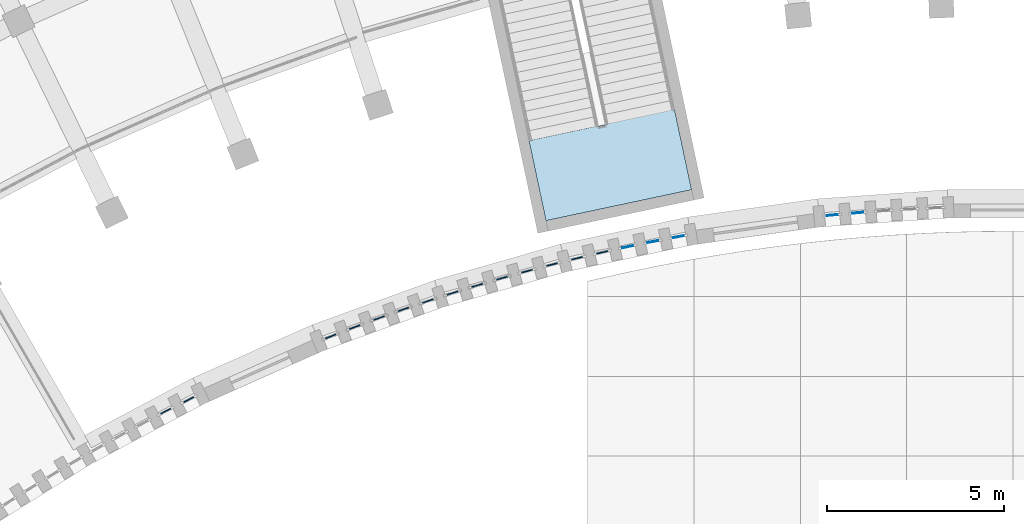
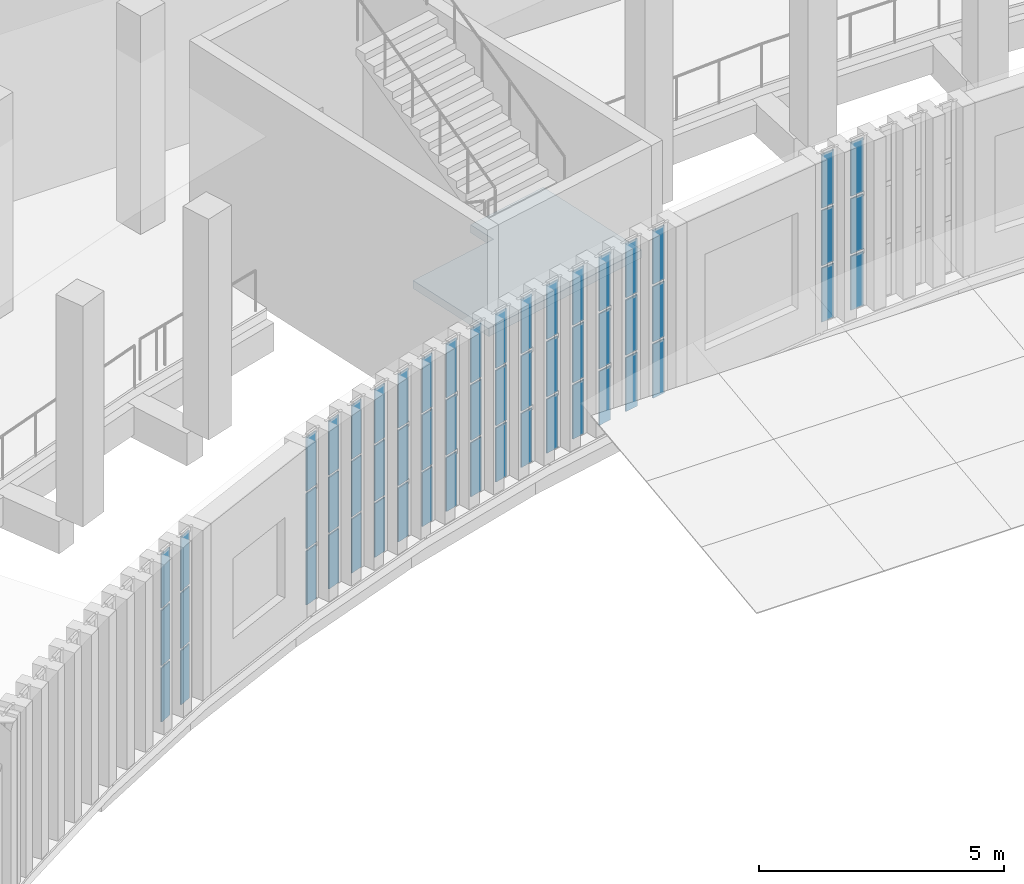
# One storey, part 43 of 112: 57 plates, 1 slab, 20 elements without a shape of their own.
"""IFC4 building model written with IfcOpenShell, lengths in metres."""

from ifc_helpers import new_model, si_unit, direction, frame, origin, origin_2d, place, context, subcontext, project, spatial, polyline, rectangle, outline, extrude, material, layer, layer_set, type_object, element, aggregate, save


model = new_model("IFC4")

# Units and contexts
model_context = context("Model", 3, precision=1e-05, world=origin(), true_north=direction((0.0, 1.0)))
body_context = subcontext(model_context, "Body", "Model", "MODEL_VIEW")
ifc_project = project(units=[si_unit("LENGTHUNIT", "METRE"), si_unit("AREAUNIT", "SQUARE_METRE"), si_unit("VOLUMEUNIT", "CUBIC_METRE"), si_unit("PLANEANGLEUNIT", "RADIAN"), si_unit("MASSUNIT", "GRAM", prefix="KILO")], contexts=[model_context])

# Site, building, storey
site_placement = place(None, origin())
site = spatial("IfcSite", under=ifc_project, at=site_placement, CompositionType="ELEMENT")
building_placement = place(site_placement, origin())
building = spatial("IfcBuilding", under=site, at=building_placement, Name="Lunette Opera House", CompositionType="ELEMENT")
storey_placement = place(building_placement, frame((0.0, 0.0, 6.0)))
storey = spatial("IfcBuildingStorey", under=building, at=storey_placement, Name="L01", CompositionType="ELEMENT", Elevation=6.0)

# Curtain wall, plates
ifc_material_1 = material(Name="Aluminium", Category="aluminium")
ifc_layer_1 = layer(ifc_material_1, 0.1201171875)
ifc_layer_set_1 = layer_set([ifc_layer_1], Name="Aluminium")
curtain_wall_type = type_object("IfcCurtainWallType", Name="SLOT CURTAIN WALL", PredefinedType="NOTDEFINED", material=ifc_layer_set_1)
curtain_wall_1_placement = place(storey_placement, origin())
curtain_wall_1 = element("IfcCurtainWall", 1, at=curtain_wall_1_placement, inside=storey, type_object=curtain_wall_type, Name="Slot Curtain Wall CS019 L01", PredefinedType="NOTDEFINED")
ifc_material_2 = material(Name="Laminated glass", Category="glass")
ifc_layer_2 = layer(ifc_material_2, 0.028076171875)
ifc_layer_set_2 = layer_set([ifc_layer_2], Name="Laminated glass")
plate_type = type_object("IfcPlateType", Name="CURTAIN PANEL LAMINATED GLASS 28", PredefinedType="CURTAIN_PANEL", material=ifc_layer_set_2)
plate_1_placement = place(storey_placement, frame((72.093994140625, 46.51611328125, 0.06005859375), z_axis=(0.0, 0.0, 1.0), x_axis=(0.889720446935, 0.45650577905, 0.0)))
plate_1 = element("IfcPlate", 2, at=plate_1_placement, type_object=plate_type, Name="FC-X2038 panel 1.1", PredefinedType="CURTAIN_PANEL", context=body_context, shape_type="SweptSolid", body=[
    extrude(rectangle(XDim=0.309326171875, YDim=0.028076171875, at=origin_2d()), origin(), (0.0, 0.0, 1.0), 1.343017578125),
])
plate_2_placement = place(storey_placement, frame((72.093994140625, 46.51611328125, 1.462890625), z_axis=(0.0, 0.0, 1.0), x_axis=(0.889720446935, 0.45650577905, 0.0)))
plate_2 = element("IfcPlate", 3, at=plate_2_placement, type_object=plate_type, Name="FC-X2038 panel 1.2", PredefinedType="CURTAIN_PANEL", context=body_context, shape_type="SweptSolid", body=[
    extrude(rectangle(XDim=0.309326171875, YDim=0.028076171875, at=origin_2d()), origin(), (0.0, 0.0, 1.0), 1.3740234375),
])
plate_3_placement = place(storey_placement, frame((72.093994140625, 46.51611328125, 2.89697265625), z_axis=(0.0, 0.0, 1.0), x_axis=(0.889720446935, 0.45650577905, 0.0)))
plate_3 = element("IfcPlate", 4, at=plate_3_placement, type_object=plate_type, Name="FC-X2038 panel 1.3", PredefinedType="CURTAIN_PANEL", context=body_context, shape_type="SweptSolid", body=[
    extrude(rectangle(XDim=0.309326171875, YDim=0.028076171875, at=origin_2d()), origin(), (0.0, 0.0, 1.0), 1.343017578125),
])
aggregate(curtain_wall_1, [plate_1, plate_2, plate_3])

curtain_wall_2_placement = place(storey_placement, origin())
curtain_wall_2 = element("IfcCurtainWall", 5, at=curtain_wall_2_placement, inside=storey, type_object=curtain_wall_type, Name="Slot Curtain Wall CS020 L01", PredefinedType="NOTDEFINED")
plate_4_placement = place(storey_placement, frame((72.74560546875, 46.845458984375, 0.06005859375), z_axis=(0.0, 0.0, 1.0), x_axis=(0.895818914219, 0.444419253552, 0.0)))
plate_4 = element("IfcPlate", 6, at=plate_4_placement, type_object=plate_type, Name="FC-X2040 panel 1.1", PredefinedType="CURTAIN_PANEL", context=body_context, shape_type="SweptSolid", body=[
    extrude(rectangle(XDim=0.309814453125, YDim=0.028076171875, at=origin_2d()), origin(), (0.0, 0.0, 1.0), 1.343017578125),
])
plate_5_placement = place(storey_placement, frame((72.74560546875, 46.845458984375, 1.462890625), z_axis=(0.0, 0.0, 1.0), x_axis=(0.895818914219, 0.444419253552, 0.0)))
plate_5 = element("IfcPlate", 7, at=plate_5_placement, type_object=plate_type, Name="FC-X2040 panel 1.2", PredefinedType="CURTAIN_PANEL", context=body_context, shape_type="SweptSolid", body=[
    extrude(rectangle(XDim=0.309814453125, YDim=0.028076171875, at=origin_2d()), origin(), (0.0, 0.0, 1.0), 1.3740234375),
])
plate_6_placement = place(storey_placement, frame((72.74560546875, 46.845458984375, 2.89697265625), z_axis=(0.0, 0.0, 1.0), x_axis=(0.895818914219, 0.444419253552, 0.0)))
plate_6 = element("IfcPlate", 8, at=plate_6_placement, type_object=plate_type, Name="FC-X2040 panel 1.3", PredefinedType="CURTAIN_PANEL", context=body_context, shape_type="SweptSolid", body=[
    extrude(rectangle(XDim=0.309814453125, YDim=0.028076171875, at=origin_2d()), origin(), (0.0, 0.0, 1.0), 1.343017578125),
])
aggregate(curtain_wall_2, [plate_4, plate_5, plate_6])

curtain_wall_3_placement = place(storey_placement, origin())
curtain_wall_3 = element("IfcCurtainWall", 9, at=curtain_wall_3_placement, inside=storey, type_object=curtain_wall_type, Name="Slot Curtain Wall CS021 L01", PredefinedType="NOTDEFINED")
plate_7_placement = place(storey_placement, frame((76.7470703125, 48.626953125, 0.06005859375), z_axis=(0.0, 0.0, 1.0), x_axis=(0.93007160781, 0.367378285076, 0.0)))
plate_7 = element("IfcPlate", 10, at=plate_7_placement, type_object=plate_type, Name="FC-X2042 panel 1.1", PredefinedType="CURTAIN_PANEL", context=body_context, shape_type="SweptSolid", body=[
    extrude(rectangle(XDim=0.31005859375, YDim=0.028076171875, at=origin_2d()), origin(), (0.0, 0.0, 1.0), 1.343017578125),
])
plate_8_placement = place(storey_placement, frame((76.7470703125, 48.626953125, 1.462890625), z_axis=(0.0, 0.0, 1.0), x_axis=(0.93007160781, 0.367378285076, 0.0)))
plate_8 = element("IfcPlate", 11, at=plate_8_placement, type_object=plate_type, Name="FC-X2042 panel 1.2", PredefinedType="CURTAIN_PANEL", context=body_context, shape_type="SweptSolid", body=[
    extrude(rectangle(XDim=0.31005859375, YDim=0.028076171875, at=origin_2d()), origin(), (0.0, 0.0, 1.0), 1.3740234375),
])
plate_9_placement = place(storey_placement, frame((76.7470703125, 48.626953125, 2.89697265625), z_axis=(0.0, 0.0, 1.0), x_axis=(0.93007160781, 0.367378285076, 0.0)))
plate_9 = element("IfcPlate", 12, at=plate_9_placement, type_object=plate_type, Name="FC-X2042 panel 1.3", PredefinedType="CURTAIN_PANEL", context=body_context, shape_type="SweptSolid", body=[
    extrude(rectangle(XDim=0.31005859375, YDim=0.028076171875, at=origin_2d()), origin(), (0.0, 0.0, 1.0), 1.343017578125),
])
aggregate(curtain_wall_3, [plate_7, plate_8, plate_9])

curtain_wall_4_placement = place(storey_placement, origin())
curtain_wall_4 = element("IfcCurtainWall", 13, at=curtain_wall_4_placement, inside=storey, type_object=curtain_wall_type, Name="Slot Curtain Wall CS022 L01", PredefinedType="NOTDEFINED")
plate_10_placement = place(storey_placement, frame((77.427978515625, 48.89111328125, 0.06005859375), z_axis=(0.0, 0.0, 1.0), x_axis=(0.935369490502, 0.353672046164, 0.0)))
plate_10 = element("IfcPlate", 14, at=plate_10_placement, type_object=plate_type, Name="FC-X2044 panel 1.1", PredefinedType="CURTAIN_PANEL", context=body_context, shape_type="SweptSolid", body=[
    extrude(rectangle(XDim=0.309814453125, YDim=0.028076171875, at=origin_2d()), origin(), (0.0, 0.0, 1.0), 1.343017578125),
])
plate_11_placement = place(storey_placement, frame((77.427978515625, 48.89111328125, 1.462890625), z_axis=(0.0, 0.0, 1.0), x_axis=(0.935369490502, 0.353672046164, 0.0)))
plate_11 = element("IfcPlate", 15, at=plate_11_placement, type_object=plate_type, Name="FC-X2044 panel 1.2", PredefinedType="CURTAIN_PANEL", context=body_context, shape_type="SweptSolid", body=[
    extrude(rectangle(XDim=0.309814453125, YDim=0.028076171875, at=origin_2d()), origin(), (0.0, 0.0, 1.0), 1.3740234375),
])
plate_12_placement = place(storey_placement, frame((77.427978515625, 48.89111328125, 2.89697265625), z_axis=(0.0, 0.0, 1.0), x_axis=(0.935369490502, 0.353672046164, 0.0)))
plate_12 = element("IfcPlate", 16, at=plate_12_placement, type_object=plate_type, Name="FC-X2044 panel 1.3", PredefinedType="CURTAIN_PANEL", context=body_context, shape_type="SweptSolid", body=[
    extrude(rectangle(XDim=0.309814453125, YDim=0.028076171875, at=origin_2d()), origin(), (0.0, 0.0, 1.0), 1.343017578125),
])
aggregate(curtain_wall_4, [plate_10, plate_11, plate_12])

curtain_wall_5_placement = place(storey_placement, origin())
curtain_wall_5 = element("IfcCurtainWall", 17, at=curtain_wall_5_placement, inside=storey, type_object=curtain_wall_type, Name="Slot Curtain Wall CS023 L01", PredefinedType="NOTDEFINED")
plate_13_placement = place(storey_placement, frame((78.112548828125, 49.1455078125, 0.06005859375), z_axis=(0.0, 0.0, 1.0), x_axis=(0.939996554639, 0.341183934655, 0.0)))
plate_13 = element("IfcPlate", 18, at=plate_13_placement, type_object=plate_type, Name="FC-X2046 panel 1.1", PredefinedType="CURTAIN_PANEL", context=body_context, shape_type="SweptSolid", body=[
    extrude(rectangle(XDim=0.310791015625, YDim=0.028076171875, at=origin_2d()), origin(), (0.0, 0.0, 1.0), 1.343017578125),
])
plate_14_placement = place(storey_placement, frame((78.112548828125, 49.1455078125, 1.462890625), z_axis=(0.0, 0.0, 1.0), x_axis=(0.939996554639, 0.341183934655, 0.0)))
plate_14 = element("IfcPlate", 19, at=plate_14_placement, type_object=plate_type, Name="FC-X2046 panel 1.2", PredefinedType="CURTAIN_PANEL", context=body_context, shape_type="SweptSolid", body=[
    extrude(rectangle(XDim=0.310791015625, YDim=0.028076171875, at=origin_2d()), origin(), (0.0, 0.0, 1.0), 1.3740234375),
])
plate_15_placement = place(storey_placement, frame((78.112548828125, 49.1455078125, 2.89697265625), z_axis=(0.0, 0.0, 1.0), x_axis=(0.939996554639, 0.341183934655, 0.0)))
plate_15 = element("IfcPlate", 20, at=plate_15_placement, type_object=plate_type, Name="FC-X2046 panel 1.3", PredefinedType="CURTAIN_PANEL", context=body_context, shape_type="SweptSolid", body=[
    extrude(rectangle(XDim=0.310791015625, YDim=0.028076171875, at=origin_2d()), origin(), (0.0, 0.0, 1.0), 1.343017578125),
])
aggregate(curtain_wall_5, [plate_13, plate_14, plate_15])

curtain_wall_6_placement = place(storey_placement, origin())
curtain_wall_6 = element("IfcCurtainWall", 21, at=curtain_wall_6_placement, inside=storey, type_object=curtain_wall_type, Name="Slot Curtain Wall CS024 L01", PredefinedType="NOTDEFINED")
plate_16_placement = place(storey_placement, frame((78.800537109375, 49.390380859375, 0.06005859375), z_axis=(0.0, 0.0, 1.0), x_axis=(0.944903237351, 0.327349770191, 0.0)))
plate_16 = element("IfcPlate", 22, at=plate_16_placement, type_object=plate_type, Name="FC-X2048 panel 1.1", PredefinedType="CURTAIN_PANEL", context=body_context, shape_type="SweptSolid", body=[
    extrude(rectangle(XDim=0.310791015625, YDim=0.028076171875, at=origin_2d()), origin(), (0.0, 0.0, 1.0), 1.343017578125),
])
plate_17_placement = place(storey_placement, frame((78.800537109375, 49.390380859375, 1.462890625), z_axis=(0.0, 0.0, 1.0), x_axis=(0.944903237351, 0.327349770191, 0.0)))
plate_17 = element("IfcPlate", 23, at=plate_17_placement, type_object=plate_type, Name="FC-X2048 panel 1.2", PredefinedType="CURTAIN_PANEL", context=body_context, shape_type="SweptSolid", body=[
    extrude(rectangle(XDim=0.310791015625, YDim=0.028076171875, at=origin_2d()), origin(), (0.0, 0.0, 1.0), 1.3740234375),
])
plate_18_placement = place(storey_placement, frame((78.800537109375, 49.390380859375, 2.89697265625), z_axis=(0.0, 0.0, 1.0), x_axis=(0.944903237351, 0.327349770191, 0.0)))
plate_18 = element("IfcPlate", 24, at=plate_18_placement, type_object=plate_type, Name="FC-X2048 panel 1.3", PredefinedType="CURTAIN_PANEL", context=body_context, shape_type="SweptSolid", body=[
    extrude(rectangle(XDim=0.310791015625, YDim=0.028076171875, at=origin_2d()), origin(), (0.0, 0.0, 1.0), 1.343017578125),
])
aggregate(curtain_wall_6, [plate_16, plate_17, plate_18])

curtain_wall_7_placement = place(storey_placement, origin())
curtain_wall_7 = element("IfcCurtainWall", 25, at=curtain_wall_7_placement, inside=storey, type_object=curtain_wall_type, Name="Slot Curtain Wall CS025 L01", PredefinedType="NOTDEFINED")
plate_19_placement = place(storey_placement, frame((79.491943359375, 49.6259765625, 0.06005859375), z_axis=(0.0, 0.0, 1.0), x_axis=(0.94868329805, 0.316227766018, 0.0)))
plate_19 = element("IfcPlate", 26, at=plate_19_placement, type_object=plate_type, Name="FC-X2050 panel 1.1", PredefinedType="CURTAIN_PANEL", context=body_context, shape_type="SweptSolid", body=[
    extrude(rectangle(XDim=0.31005859375, YDim=0.028076171875, at=origin_2d()), origin(), (0.0, 0.0, 1.0), 1.343017578125),
])
plate_20_placement = place(storey_placement, frame((79.491943359375, 49.6259765625, 1.462890625), z_axis=(0.0, 0.0, 1.0), x_axis=(0.94868329805, 0.316227766018, 0.0)))
plate_20 = element("IfcPlate", 27, at=plate_20_placement, type_object=plate_type, Name="FC-X2050 panel 1.2", PredefinedType="CURTAIN_PANEL", context=body_context, shape_type="SweptSolid", body=[
    extrude(rectangle(XDim=0.31005859375, YDim=0.028076171875, at=origin_2d()), origin(), (0.0, 0.0, 1.0), 1.3740234375),
])
plate_21_placement = place(storey_placement, frame((79.491943359375, 49.6259765625, 2.89697265625), z_axis=(0.0, 0.0, 1.0), x_axis=(0.94868329805, 0.316227766018, 0.0)))
plate_21 = element("IfcPlate", 28, at=plate_21_placement, type_object=plate_type, Name="FC-X2050 panel 1.3", PredefinedType="CURTAIN_PANEL", context=body_context, shape_type="SweptSolid", body=[
    extrude(rectangle(XDim=0.31005859375, YDim=0.028076171875, at=origin_2d()), origin(), (0.0, 0.0, 1.0), 1.343017578125),
])
aggregate(curtain_wall_7, [plate_19, plate_20, plate_21])

curtain_wall_8_placement = place(storey_placement, origin())
curtain_wall_8 = element("IfcCurtainWall", 29, at=curtain_wall_8_placement, inside=storey, type_object=curtain_wall_type, Name="Slot Curtain Wall CS026 L01", PredefinedType="NOTDEFINED")
plate_22_placement = place(storey_placement, frame((80.18603515625, 49.85107421875, 0.06005859375), z_axis=(0.0, 0.0, 1.0), x_axis=(0.9532306377, 0.302243860731, 0.0)))
plate_22 = element("IfcPlate", 30, at=plate_22_placement, type_object=plate_type, Name="FC-X2052 panel 1.1", PredefinedType="CURTAIN_PANEL", context=body_context, shape_type="SweptSolid", body=[
    extrude(rectangle(XDim=0.31005859375, YDim=0.028076171875, at=origin_2d()), origin(), (0.0, 0.0, 1.0), 1.343017578125),
])
plate_23_placement = place(storey_placement, frame((80.18603515625, 49.85107421875, 1.462890625), z_axis=(0.0, 0.0, 1.0), x_axis=(0.9532306377, 0.302243860731, 0.0)))
plate_23 = element("IfcPlate", 31, at=plate_23_placement, type_object=plate_type, Name="FC-X2052 panel 1.2", PredefinedType="CURTAIN_PANEL", context=body_context, shape_type="SweptSolid", body=[
    extrude(rectangle(XDim=0.31005859375, YDim=0.028076171875, at=origin_2d()), origin(), (0.0, 0.0, 1.0), 1.3740234375),
])
plate_24_placement = place(storey_placement, frame((80.18603515625, 49.85107421875, 2.89697265625), z_axis=(0.0, 0.0, 1.0), x_axis=(0.9532306377, 0.302243860731, 0.0)))
plate_24 = element("IfcPlate", 32, at=plate_24_placement, type_object=plate_type, Name="FC-X2052 panel 1.3", PredefinedType="CURTAIN_PANEL", context=body_context, shape_type="SweptSolid", body=[
    extrude(rectangle(XDim=0.31005859375, YDim=0.028076171875, at=origin_2d()), origin(), (0.0, 0.0, 1.0), 1.343017578125),
])
aggregate(curtain_wall_8, [plate_22, plate_23, plate_24])

curtain_wall_9_placement = place(storey_placement, origin())
curtain_wall_9 = element("IfcCurtainWall", 33, at=curtain_wall_9_placement, inside=storey, type_object=curtain_wall_type, Name="Slot Curtain Wall CS027 L01", PredefinedType="NOTDEFINED")
plate_25_placement = place(storey_placement, frame((80.884033203125, 50.0673828125, 0.06005859375), z_axis=(0.0, 0.0, 1.0), x_axis=(0.956926678266, 0.290329696075, 0.0)))
plate_25 = element("IfcPlate", 34, at=plate_25_placement, type_object=plate_type, Name="FC-X2054 panel 1.1", PredefinedType="CURTAIN_PANEL", context=body_context, shape_type="SweptSolid", body=[
    extrude(rectangle(XDim=0.310546875, YDim=0.028076171875, at=origin_2d()), origin(), (0.0, 0.0, 1.0), 1.343017578125),
])
plate_26_placement = place(storey_placement, frame((80.884033203125, 50.0673828125, 1.462890625), z_axis=(0.0, 0.0, 1.0), x_axis=(0.956926678266, 0.290329696075, 0.0)))
plate_26 = element("IfcPlate", 35, at=plate_26_placement, type_object=plate_type, Name="FC-X2054 panel 1.2", PredefinedType="CURTAIN_PANEL", context=body_context, shape_type="SweptSolid", body=[
    extrude(rectangle(XDim=0.310546875, YDim=0.028076171875, at=origin_2d()), origin(), (0.0, 0.0, 1.0), 1.3740234375),
])
plate_27_placement = place(storey_placement, frame((80.884033203125, 50.0673828125, 2.89697265625), z_axis=(0.0, 0.0, 1.0), x_axis=(0.956926678266, 0.290329696075, 0.0)))
plate_27 = element("IfcPlate", 36, at=plate_27_placement, type_object=plate_type, Name="FC-X2054 panel 1.3", PredefinedType="CURTAIN_PANEL", context=body_context, shape_type="SweptSolid", body=[
    extrude(rectangle(XDim=0.310546875, YDim=0.028076171875, at=origin_2d()), origin(), (0.0, 0.0, 1.0), 1.343017578125),
])
aggregate(curtain_wall_9, [plate_25, plate_26, plate_27])

curtain_wall_10_placement = place(storey_placement, origin())
curtain_wall_10 = element("IfcCurtainWall", 37, at=curtain_wall_10_placement, inside=storey, type_object=curtain_wall_type, Name="Slot Curtain Wall CS028 L01", PredefinedType="NOTDEFINED")
plate_28_placement = place(storey_placement, frame((81.583984375, 50.2734375, 0.06005859375), z_axis=(0.0, 0.0, 1.0), x_axis=(0.961084714065, 0.276253818781, 0.0)))
plate_28 = element("IfcPlate", 38, at=plate_28_placement, type_object=plate_type, Name="FC-X2056 panel 1.1", PredefinedType="CURTAIN_PANEL", context=body_context, shape_type="SweptSolid", body=[
    extrude(rectangle(XDim=0.310791015625, YDim=0.028076171875, at=origin_2d()), origin(), (0.0, 0.0, 1.0), 1.343017578125),
])
plate_29_placement = place(storey_placement, frame((81.583984375, 50.2734375, 1.462890625), z_axis=(0.0, 0.0, 1.0), x_axis=(0.961084714065, 0.276253818781, 0.0)))
plate_29 = element("IfcPlate", 39, at=plate_29_placement, type_object=plate_type, Name="FC-X2056 panel 1.2", PredefinedType="CURTAIN_PANEL", context=body_context, shape_type="SweptSolid", body=[
    extrude(rectangle(XDim=0.310791015625, YDim=0.028076171875, at=origin_2d()), origin(), (0.0, 0.0, 1.0), 1.3740234375),
])
plate_30_placement = place(storey_placement, frame((81.583984375, 50.2734375, 2.89697265625), z_axis=(0.0, 0.0, 1.0), x_axis=(0.961084714065, 0.276253818781, 0.0)))
plate_30 = element("IfcPlate", 40, at=plate_30_placement, type_object=plate_type, Name="FC-X2056 panel 1.3", PredefinedType="CURTAIN_PANEL", context=body_context, shape_type="SweptSolid", body=[
    extrude(rectangle(XDim=0.310791015625, YDim=0.028076171875, at=origin_2d()), origin(), (0.0, 0.0, 1.0), 1.343017578125),
])
aggregate(curtain_wall_10, [plate_28, plate_29, plate_30])

curtain_wall_11_placement = place(storey_placement, origin())
curtain_wall_11 = element("IfcCurtainWall", 41, at=curtain_wall_11_placement, inside=storey, type_object=curtain_wall_type, Name="Slot Curtain Wall CS029 L01", PredefinedType="NOTDEFINED")
plate_31_placement = place(storey_placement, frame((82.28759765625, 50.469970703125, 0.06005859375), z_axis=(0.0, 0.0, 1.0), x_axis=(0.965458348983, 0.260557433934, 0.0)))
plate_31 = element("IfcPlate", 42, at=plate_31_placement, type_object=plate_type, Name="FC-X2058 panel 1.1", PredefinedType="CURTAIN_PANEL", context=body_context, shape_type="SweptSolid", body=[
    extrude(rectangle(XDim=0.309814453125, YDim=0.028076171875, at=origin_2d()), origin(), (0.0, 0.0, 1.0), 1.343017578125),
])
plate_32_placement = place(storey_placement, frame((82.28759765625, 50.469970703125, 1.462890625), z_axis=(0.0, 0.0, 1.0), x_axis=(0.965458348983, 0.260557433934, 0.0)))
plate_32 = element("IfcPlate", 43, at=plate_32_placement, type_object=plate_type, Name="FC-X2058 panel 1.2", PredefinedType="CURTAIN_PANEL", context=body_context, shape_type="SweptSolid", body=[
    extrude(rectangle(XDim=0.309814453125, YDim=0.028076171875, at=origin_2d()), origin(), (0.0, 0.0, 1.0), 1.3740234375),
])
plate_33_placement = place(storey_placement, frame((82.28759765625, 50.469970703125, 2.89697265625), z_axis=(0.0, 0.0, 1.0), x_axis=(0.965458348983, 0.260557433934, 0.0)))
plate_33 = element("IfcPlate", 44, at=plate_33_placement, type_object=plate_type, Name="FC-X2058 panel 1.3", PredefinedType="CURTAIN_PANEL", context=body_context, shape_type="SweptSolid", body=[
    extrude(rectangle(XDim=0.309814453125, YDim=0.028076171875, at=origin_2d()), origin(), (0.0, 0.0, 1.0), 1.343017578125),
])
aggregate(curtain_wall_11, [plate_31, plate_32, plate_33])

curtain_wall_12_placement = place(storey_placement, origin())
curtain_wall_12 = element("IfcCurtainWall", 45, at=curtain_wall_12_placement, inside=storey, type_object=curtain_wall_type, Name="Slot Curtain Wall CS030 L01", PredefinedType="NOTDEFINED")
plate_34_placement = place(storey_placement, frame((82.993408203125, 50.656494140625, 0.06005859375), z_axis=(0.0, 0.0, 1.0), x_axis=(0.968620862667, 0.248543003132, 0.0)))
plate_34 = element("IfcPlate", 46, at=plate_34_placement, type_object=plate_type, Name="FC-X2060 panel 1.1", PredefinedType="CURTAIN_PANEL", context=body_context, shape_type="SweptSolid", body=[
    extrude(rectangle(XDim=0.310546875, YDim=0.028076171875, at=origin_2d()), origin(), (0.0, 0.0, 1.0), 1.343017578125),
])
plate_35_placement = place(storey_placement, frame((82.993408203125, 50.656494140625, 1.462890625), z_axis=(0.0, 0.0, 1.0), x_axis=(0.968620862667, 0.248543003132, 0.0)))
plate_35 = element("IfcPlate", 47, at=plate_35_placement, type_object=plate_type, Name="FC-X2060 panel 1.2", PredefinedType="CURTAIN_PANEL", context=body_context, shape_type="SweptSolid", body=[
    extrude(rectangle(XDim=0.310546875, YDim=0.028076171875, at=origin_2d()), origin(), (0.0, 0.0, 1.0), 1.3740234375),
])
plate_36_placement = place(storey_placement, frame((82.993408203125, 50.656494140625, 2.89697265625), z_axis=(0.0, 0.0, 1.0), x_axis=(0.968620862667, 0.248543003132, 0.0)))
plate_36 = element("IfcPlate", 48, at=plate_36_placement, type_object=plate_type, Name="FC-X2060 panel 1.3", PredefinedType="CURTAIN_PANEL", context=body_context, shape_type="SweptSolid", body=[
    extrude(rectangle(XDim=0.310546875, YDim=0.028076171875, at=origin_2d()), origin(), (0.0, 0.0, 1.0), 1.343017578125),
])
aggregate(curtain_wall_12, [plate_34, plate_35, plate_36])

curtain_wall_13_placement = place(storey_placement, origin())
curtain_wall_13 = element("IfcCurtainWall", 49, at=curtain_wall_13_placement, inside=storey, type_object=curtain_wall_type, Name="Slot Curtain Wall CS031 L01", PredefinedType="NOTDEFINED")
plate_37_placement = place(storey_placement, frame((83.701904296875, 50.83349609375, 0.06005859375), z_axis=(0.0, 0.0, 1.0), x_axis=(0.972027312434, 0.234867843442, 0.0)))
plate_37 = element("IfcPlate", 50, at=plate_37_placement, type_object=plate_type, Name="FC-X2062 panel 1.1", PredefinedType="CURTAIN_PANEL", context=body_context, shape_type="SweptSolid", body=[
    extrude(rectangle(XDim=0.31005859375, YDim=0.028076171875, at=origin_2d()), origin(), (0.0, 0.0, 1.0), 1.343017578125),
])
plate_38_placement = place(storey_placement, frame((83.701904296875, 50.83349609375, 1.462890625), z_axis=(0.0, 0.0, 1.0), x_axis=(0.972027312434, 0.234867843442, 0.0)))
plate_38 = element("IfcPlate", 51, at=plate_38_placement, type_object=plate_type, Name="FC-X2062 panel 1.2", PredefinedType="CURTAIN_PANEL", context=body_context, shape_type="SweptSolid", body=[
    extrude(rectangle(XDim=0.31005859375, YDim=0.028076171875, at=origin_2d()), origin(), (0.0, 0.0, 1.0), 1.3740234375),
])
plate_39_placement = place(storey_placement, frame((83.701904296875, 50.83349609375, 2.89697265625), z_axis=(0.0, 0.0, 1.0), x_axis=(0.972027312434, 0.234867843442, 0.0)))
plate_39 = element("IfcPlate", 52, at=plate_39_placement, type_object=plate_type, Name="FC-X2062 panel 1.3", PredefinedType="CURTAIN_PANEL", context=body_context, shape_type="SweptSolid", body=[
    extrude(rectangle(XDim=0.31005859375, YDim=0.028076171875, at=origin_2d()), origin(), (0.0, 0.0, 1.0), 1.343017578125),
])
aggregate(curtain_wall_13, [plate_37, plate_38, plate_39])

curtain_wall_14_placement = place(storey_placement, origin())
curtain_wall_14 = element("IfcCurtainWall", 53, at=curtain_wall_14_placement, inside=storey, type_object=curtain_wall_type, Name="Slot Curtain Wall CS032 L01", PredefinedType="NOTDEFINED")
plate_40_placement = place(storey_placement, frame((84.4130859375, 51.0, 0.06005859375), z_axis=(0.0, 0.0, 1.0), x_axis=(0.97485850657, 0.222824801509, 0.0)))
plate_40 = element("IfcPlate", 54, at=plate_40_placement, type_object=plate_type, Name="FC-X2064 panel 1.1", PredefinedType="CURTAIN_PANEL", context=body_context, shape_type="SweptSolid", body=[
    extrude(rectangle(XDim=0.310791015625, YDim=0.028076171875, at=origin_2d()), origin(), (0.0, 0.0, 1.0), 1.343017578125),
])
plate_41_placement = place(storey_placement, frame((84.4130859375, 51.0, 1.462890625), z_axis=(0.0, 0.0, 1.0), x_axis=(0.97485850657, 0.222824801509, 0.0)))
plate_41 = element("IfcPlate", 55, at=plate_41_placement, type_object=plate_type, Name="FC-X2064 panel 1.2", PredefinedType="CURTAIN_PANEL", context=body_context, shape_type="SweptSolid", body=[
    extrude(rectangle(XDim=0.310791015625, YDim=0.028076171875, at=origin_2d()), origin(), (0.0, 0.0, 1.0), 1.3740234375),
])
plate_42_placement = place(storey_placement, frame((84.4130859375, 51.0, 2.89697265625), z_axis=(0.0, 0.0, 1.0), x_axis=(0.97485850657, 0.222824801509, 0.0)))
plate_42 = element("IfcPlate", 56, at=plate_42_placement, type_object=plate_type, Name="FC-X2064 panel 1.3", PredefinedType="CURTAIN_PANEL", context=body_context, shape_type="SweptSolid", body=[
    extrude(rectangle(XDim=0.310791015625, YDim=0.028076171875, at=origin_2d()), origin(), (0.0, 0.0, 1.0), 1.343017578125),
])
aggregate(curtain_wall_14, [plate_40, plate_41, plate_42])

curtain_wall_15_placement = place(storey_placement, origin())
curtain_wall_15 = element("IfcCurtainWall", 57, at=curtain_wall_15_placement, inside=storey, type_object=curtain_wall_type, Name="Slot Curtain Wall CS033 L01", PredefinedType="NOTDEFINED")
plate_43_placement = place(storey_placement, frame((85.12646484375, 51.156494140625, 0.06005859375), z_axis=(0.0, 0.0, 1.0), x_axis=(0.978376841558, 0.206830258672, 0.0)))
plate_43 = element("IfcPlate", 58, at=plate_43_placement, type_object=plate_type, Name="FC-X2066 panel 1.1", PredefinedType="CURTAIN_PANEL", context=body_context, shape_type="SweptSolid", body=[
    extrude(rectangle(XDim=0.310302734375, YDim=0.028076171875, at=origin_2d()), origin(), (0.0, 0.0, 1.0), 1.343017578125),
])
plate_44_placement = place(storey_placement, frame((85.12646484375, 51.156494140625, 1.462890625), z_axis=(0.0, 0.0, 1.0), x_axis=(0.978376841558, 0.206830258672, 0.0)))
plate_44 = element("IfcPlate", 59, at=plate_44_placement, type_object=plate_type, Name="FC-X2066 panel 1.2", PredefinedType="CURTAIN_PANEL", context=body_context, shape_type="SweptSolid", body=[
    extrude(rectangle(XDim=0.310302734375, YDim=0.028076171875, at=origin_2d()), origin(), (0.0, 0.0, 1.0), 1.3740234375),
])
plate_45_placement = place(storey_placement, frame((85.12646484375, 51.156494140625, 2.89697265625), z_axis=(0.0, 0.0, 1.0), x_axis=(0.978376841558, 0.206830258672, 0.0)))
plate_45 = element("IfcPlate", 60, at=plate_45_placement, type_object=plate_type, Name="FC-X2066 panel 1.3", PredefinedType="CURTAIN_PANEL", context=body_context, shape_type="SweptSolid", body=[
    extrude(rectangle(XDim=0.310302734375, YDim=0.028076171875, at=origin_2d()), origin(), (0.0, 0.0, 1.0), 1.343017578125),
])
aggregate(curtain_wall_15, [plate_43, plate_44, plate_45])

curtain_wall_16_placement = place(storey_placement, origin())
curtain_wall_16 = element("IfcCurtainWall", 61, at=curtain_wall_16_placement, inside=storey, type_object=curtain_wall_type, Name="Slot Curtain Wall CS034 L01", PredefinedType="NOTDEFINED")
plate_46_placement = place(storey_placement, frame((85.842041015625, 51.303466796875, 0.06005859375), z_axis=(0.0, 0.0, 1.0), x_axis=(0.981201674814, 0.192985163529, 0.0)))
plate_46 = element("IfcPlate", 62, at=plate_46_placement, type_object=plate_type, Name="FC-X2068 panel 1.1", PredefinedType="CURTAIN_PANEL", context=body_context, shape_type="SweptSolid", body=[
    extrude(rectangle(XDim=0.31005859375, YDim=0.028076171875, at=origin_2d()), origin(), (0.0, 0.0, 1.0), 1.343017578125),
])
plate_47_placement = place(storey_placement, frame((85.842041015625, 51.303466796875, 1.462890625), z_axis=(0.0, 0.0, 1.0), x_axis=(0.981201674814, 0.192985163529, 0.0)))
plate_47 = element("IfcPlate", 63, at=plate_47_placement, type_object=plate_type, Name="FC-X2068 panel 1.2", PredefinedType="CURTAIN_PANEL", context=body_context, shape_type="SweptSolid", body=[
    extrude(rectangle(XDim=0.31005859375, YDim=0.028076171875, at=origin_2d()), origin(), (0.0, 0.0, 1.0), 1.3740234375),
])
plate_48_placement = place(storey_placement, frame((85.842041015625, 51.303466796875, 2.89697265625), z_axis=(0.0, 0.0, 1.0), x_axis=(0.981201674814, 0.192985163529, 0.0)))
plate_48 = element("IfcPlate", 64, at=plate_48_placement, type_object=plate_type, Name="FC-X2068 panel 1.3", PredefinedType="CURTAIN_PANEL", context=body_context, shape_type="SweptSolid", body=[
    extrude(rectangle(XDim=0.31005859375, YDim=0.028076171875, at=origin_2d()), origin(), (0.0, 0.0, 1.0), 1.343017578125),
])
aggregate(curtain_wall_16, [plate_46, plate_47, plate_48])

curtain_wall_17_placement = place(storey_placement, origin())
curtain_wall_17 = element("IfcCurtainWall", 65, at=curtain_wall_17_placement, inside=storey, type_object=curtain_wall_type, Name="Slot Curtain Wall CS035 L01", PredefinedType="NOTDEFINED")
plate_49_placement = place(storey_placement, frame((86.55908203125, 51.4404296875, 0.06005859375), z_axis=(0.0, 0.0, 1.0), x_axis=(0.983907017475, 0.178681227225, 0.0)))
plate_49 = element("IfcPlate", 66, at=plate_49_placement, type_object=plate_type, Name="FC-X2070 panel 1.1", PredefinedType="CURTAIN_PANEL", context=body_context, shape_type="SweptSolid", body=[
    extrude(rectangle(XDim=0.31103515625, YDim=0.028076171875, at=origin_2d()), origin(), (0.0, 0.0, 1.0), 1.343017578125),
])
plate_50_placement = place(storey_placement, frame((86.55908203125, 51.4404296875, 1.462890625), z_axis=(0.0, 0.0, 1.0), x_axis=(0.983907017475, 0.178681227225, 0.0)))
plate_50 = element("IfcPlate", 67, at=plate_50_placement, type_object=plate_type, Name="FC-X2070 panel 1.2", PredefinedType="CURTAIN_PANEL", context=body_context, shape_type="SweptSolid", body=[
    extrude(rectangle(XDim=0.31103515625, YDim=0.028076171875, at=origin_2d()), origin(), (0.0, 0.0, 1.0), 1.3740234375),
])
plate_51_placement = place(storey_placement, frame((86.55908203125, 51.4404296875, 2.89697265625), z_axis=(0.0, 0.0, 1.0), x_axis=(0.983907017475, 0.178681227225, 0.0)))
plate_51 = element("IfcPlate", 68, at=plate_51_placement, type_object=plate_type, Name="FC-X2070 panel 1.3", PredefinedType="CURTAIN_PANEL", context=body_context, shape_type="SweptSolid", body=[
    extrude(rectangle(XDim=0.31103515625, YDim=0.028076171875, at=origin_2d()), origin(), (0.0, 0.0, 1.0), 1.343017578125),
])
aggregate(curtain_wall_17, [plate_49, plate_50, plate_51])

curtain_wall_18_placement = place(storey_placement, origin())
curtain_wall_18 = element("IfcCurtainWall", 69, at=curtain_wall_18_placement, inside=storey, type_object=curtain_wall_type, Name="Slot Curtain Wall CS036 L01", PredefinedType="NOTDEFINED")
plate_52_placement = place(storey_placement, frame((90.896484375, 52.050048828125, 0.06005859375), z_axis=(0.0, 0.0, 1.0), x_axis=(0.995241767526, 0.097436256965, 0.0)))
plate_52 = element("IfcPlate", 70, at=plate_52_placement, type_object=plate_type, Name="FC-X2072 panel 1.1", PredefinedType="CURTAIN_PANEL", context=body_context, shape_type="SweptSolid", body=[
    extrude(rectangle(XDim=0.31103515625, YDim=0.028076171875, at=origin_2d()), origin(), (0.0, 0.0, 1.0), 1.343017578125),
])
plate_53_placement = place(storey_placement, frame((90.896484375, 52.050048828125, 1.462890625), z_axis=(0.0, 0.0, 1.0), x_axis=(0.995241767526, 0.097436256965, 0.0)))
plate_53 = element("IfcPlate", 71, at=plate_53_placement, type_object=plate_type, Name="FC-X2072 panel 1.2", PredefinedType="CURTAIN_PANEL", context=body_context, shape_type="SweptSolid", body=[
    extrude(rectangle(XDim=0.31103515625, YDim=0.028076171875, at=origin_2d()), origin(), (0.0, 0.0, 1.0), 1.3740234375),
])
plate_54_placement = place(storey_placement, frame((90.896484375, 52.050048828125, 2.89697265625), z_axis=(0.0, 0.0, 1.0), x_axis=(0.995241767526, 0.097436256965, 0.0)))
plate_54 = element("IfcPlate", 72, at=plate_54_placement, type_object=plate_type, Name="FC-X2072 panel 1.3", PredefinedType="CURTAIN_PANEL", context=body_context, shape_type="SweptSolid", body=[
    extrude(rectangle(XDim=0.31103515625, YDim=0.028076171875, at=origin_2d()), origin(), (0.0, 0.0, 1.0), 1.343017578125),
])
aggregate(curtain_wall_18, [plate_52, plate_53, plate_54])

curtain_wall_19_placement = place(storey_placement, origin())
curtain_wall_19 = element("IfcCurtainWall", 73, at=curtain_wall_19_placement, inside=storey, type_object=curtain_wall_type, Name="Slot Curtain Wall CS037 L01", PredefinedType="NOTDEFINED")
plate_55_placement = place(storey_placement, frame((91.62353515625, 52.115966796875, 0.06005859375), z_axis=(0.0, 0.0, 1.0), x_axis=(0.996497532655, 0.083622170575, 0.0)))
plate_55 = element("IfcPlate", 74, at=plate_55_placement, type_object=plate_type, Name="FC-X2074 panel 1.1", PredefinedType="CURTAIN_PANEL", context=body_context, shape_type="SweptSolid", body=[
    extrude(rectangle(XDim=0.310546875, YDim=0.028076171875, at=origin_2d()), origin(), (0.0, 0.0, 1.0), 1.343017578125),
])
plate_56_placement = place(storey_placement, frame((91.62353515625, 52.115966796875, 1.462890625), z_axis=(0.0, 0.0, 1.0), x_axis=(0.996497532655, 0.083622170575, 0.0)))
plate_56 = element("IfcPlate", 75, at=plate_56_placement, type_object=plate_type, Name="FC-X2074 panel 1.2", PredefinedType="CURTAIN_PANEL", context=body_context, shape_type="SweptSolid", body=[
    extrude(rectangle(XDim=0.310546875, YDim=0.028076171875, at=origin_2d()), origin(), (0.0, 0.0, 1.0), 1.3740234375),
])
plate_57_placement = place(storey_placement, frame((91.62353515625, 52.115966796875, 2.89697265625), z_axis=(0.0, 0.0, 1.0), x_axis=(0.996497532655, 0.083622170575, 0.0)))
plate_57 = element("IfcPlate", 76, at=plate_57_placement, type_object=plate_type, Name="FC-X2074 panel 1.3", PredefinedType="CURTAIN_PANEL", context=body_context, shape_type="SweptSolid", body=[
    extrude(rectangle(XDim=0.310546875, YDim=0.028076171875, at=origin_2d()), origin(), (0.0, 0.0, 1.0), 1.343017578125),
])
aggregate(curtain_wall_19, [plate_55, plate_56, plate_57])

# Stair, slab
ifc_material_3 = material(Name="Concrete C35/45", Category="concrete")
stair_type = type_object("IfcStairType", Name="DOGLEG STAIR 2000", PredefinedType="HALF_TURN_STAIR", material=ifc_material_3)
stair_placement = place(storey_placement, origin())
stair = element("IfcStair", 77, at=stair_placement, inside=storey, type_object=stair_type, Name="L01 stair GS1", PredefinedType="HALF_TURN_STAIR")
ifc_material_4 = material(Name="Concrete C35/45", Category="concrete")
ifc_layer_3 = layer(ifc_material_4, 0.199951171875)
ifc_layer_set_3 = layer_set([ifc_layer_3], Name="Concrete C35/45")
slab_type = type_object("IfcSlabType", Name="STAIR LANDING SLAB 200", PredefinedType="LANDING", material=ifc_layer_set_3)
slab_placement = place(storey_placement, frame((0.0, 0.0, 2.550048828125)))
slab = element("IfcSlab", 78, at=slab_placement, type_object=slab_type, Name="GS1 landing 1", PredefinedType="LANDING", context=body_context, shape_type="SweptSolid", body=[
    extrude(outline(polyline([(82.822998046875, 51.89404296875), (82.343017578125, 54.154052734375), (84.299072265625, 54.570068359375), (84.301025390625, 54.56005859375), (84.4970703125, 54.60205078125), (84.35107421875, 55.287109375), (86.306884765625, 55.701904296875), (86.930908203125, 52.76708984375), (82.822998046875, 51.89404296875)])), origin(), (0.0, 0.0, 1.0), 0.199951171875),
])
aggregate(stair, [slab])

save(model, "model.ifc")
